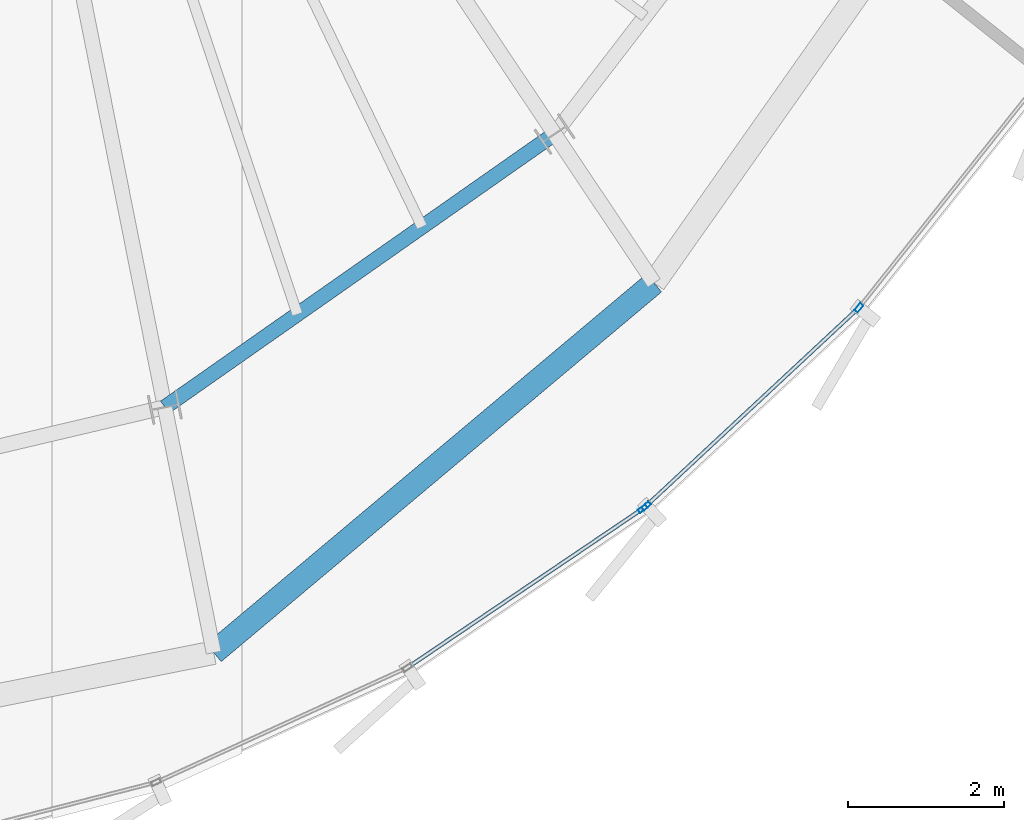
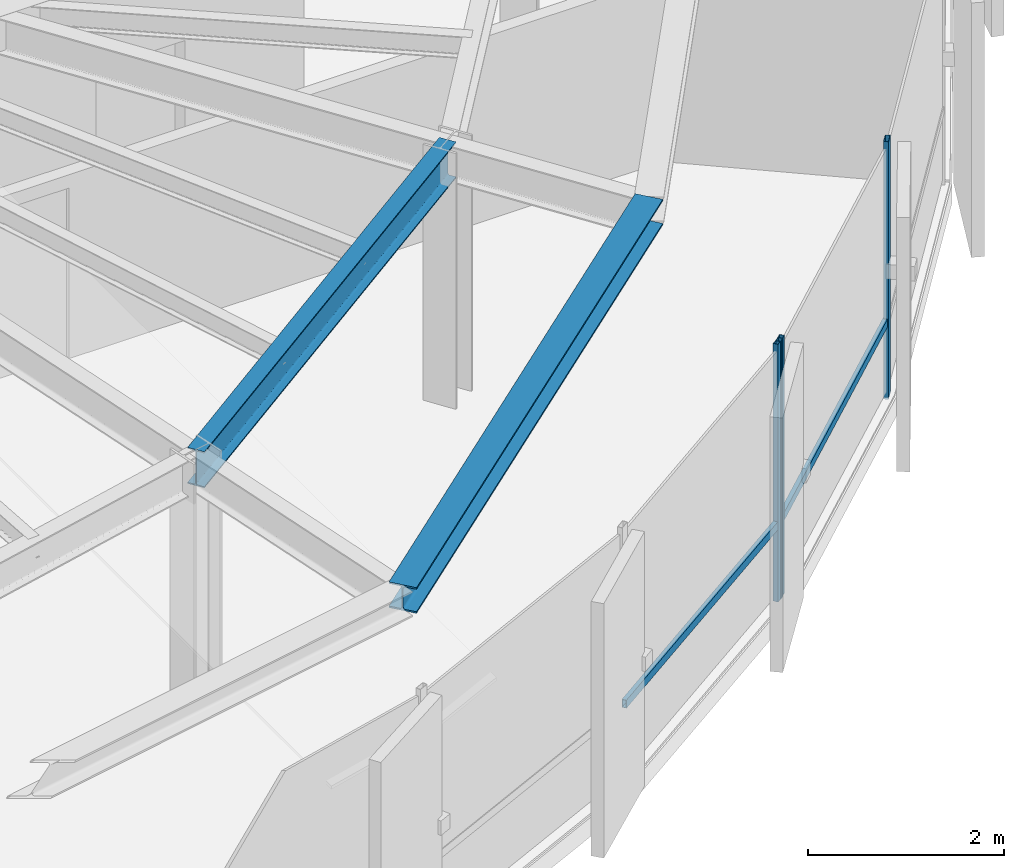
# One storey, part 8 of 31: 5 members, 2 beams, 2 elements without a shape of their own.
"""IFC4 building model written with IfcOpenShell, lengths in metres."""

from ifc_helpers import new_model, si_unit, direction, frame, origin, origin_2d, place, context, subcontext, project, spatial, hollow_rectangle, i_section, extrude, source, transform, mapped, material, layer, layer_set, material_profile, profile_set, type_object, element, aggregate, save


model = new_model("IFC4")

# Units and contexts
model_context = context("Model", 3, precision=1e-05, world=origin(), true_north=direction((0.0, 1.0)))
body_context = subcontext(model_context, "Body", "Model", "MODEL_VIEW")
ifc_project = project(units=[si_unit("LENGTHUNIT", "METRE"), si_unit("AREAUNIT", "SQUARE_METRE"), si_unit("VOLUMEUNIT", "CUBIC_METRE"), si_unit("PLANEANGLEUNIT", "RADIAN"), si_unit("MASSUNIT", "GRAM", prefix="KILO"), si_unit("THERMODYNAMICTEMPERATUREUNIT", "KELVIN")], contexts=[model_context])

# Site, building, storey
site_placement = place(None, origin())
site = spatial("IfcSite", under=ifc_project, at=site_placement, CompositionType="ELEMENT")
building_placement = place(site_placement, origin())
building = spatial("IfcBuilding", under=site, at=building_placement, Name="Kethvar Cultural Tower", CompositionType="ELEMENT")
storey_placement = place(building_placement, frame((0.0, 0.0, 290.5)))
storey = spatial("IfcBuildingStorey", under=building, at=storey_placement, Name="L77", CompositionType="ELEMENT", Elevation=290.5)

# Beams
ifc_material_1 = material(Name="Steel S355J2", Category="steel")
ifc_material_profile_1 = material_profile(ifc_material_1, i_section(OverallWidth=0.18994140625, OverallDepth=0.449951171875, WebThickness=0.009521484375, FlangeThickness=0.0146484375, FilletRadius=0.02099609375, at=origin_2d()), Name="Steel S355J2 — IPE450")
ifc_profile_set_1 = profile_set([ifc_material_profile_1], Name="Steel S355J2 — IPE450")
beam_type_1 = type_object("IfcBeamType", Name="BM-IPE450", PredefinedType="BEAM", material=ifc_profile_set_1)
shared_shape_1 = source(origin(), body_context, "Body", "SweptSolid", [
    extrude(i_section(OverallWidth=0.18994140625, OverallDepth=0.449951171875, WebThickness=0.009521484375, FlangeThickness=0.0146484375, FilletRadius=0.02099609375, at=origin_2d()), origin(), (0.0, 0.0, 1.0), 6.0859375),
])
beam_1_placement = place(storey_placement, frame((49.901611328125, 12.206787109375, 2.98291015625), z_axis=(0.818843498091, 0.57401683393, 0.0), x_axis=(-0.57401683393, 0.818843498091, 0.0)))
element("IfcBeam", 1, at=beam_1_placement, inside=storey, type_object=beam_type_1, Name="L77 Column Ring Tie Beam CR-13", PredefinedType="BEAM", context=body_context, shape_type="MappedRepresentation", body=[
    mapped(shared_shape_1, transform((0.0, 0.0, 0.0), scale=1.0)),
])
ifc_material_profile_2 = material_profile(ifc_material_1, i_section(OverallWidth=0.300048828125, OverallDepth=0.320068359375, WebThickness=0.011474609375, FlangeThickness=0.0205078125, FilletRadius=0.027099609375, at=origin_2d()), Name="Steel S355J2 — HEB320")
ifc_profile_set_2 = profile_set([ifc_material_profile_2], Name="Steel S355J2 — HEB320")
beam_type_2 = type_object("IfcBeamType", Name="BM-SP320", PredefinedType="SPANDREL", material=ifc_profile_set_2)
shared_shape_2 = source(origin(), body_context, "Body", "SweptSolid", [
    extrude(i_section(OverallWidth=0.300048828125, OverallDepth=0.320068359375, WebThickness=0.011474609375, FlangeThickness=0.0205078125, FilletRadius=0.027099609375, at=origin_2d()), origin(), (0.0, 0.0, 1.0), 7.352783203125),
])
beam_2_placement = place(storey_placement, frame((50.52587890625, 9.068359375, 3.048095703125), z_axis=(0.765891910659, 0.642969347004, 0.0), x_axis=(-0.642969347004, 0.765891910659, 0.0)))
element("IfcBeam", 2, at=beam_2_placement, inside=storey, type_object=beam_type_2, Name="L77 Perimeter Spandrel Beam SP-13", PredefinedType="SPANDREL", context=body_context, shape_type="MappedRepresentation", body=[
    mapped(shared_shape_2, transform((0.0, 0.0, 0.0), scale=1.0)),
])

# Curtain wall, member
ifc_material_2 = material(Name="Aluminium 6063-T6", Category="aluminium")
ifc_layer = layer(ifc_material_2, 0.179931640625, Name="Aluminium 6063-T6", Category="aluminium")
ifc_layer_set = layer_set([ifc_layer], Name="Aluminium 6063-T6 (180 mm)")
curtain_wall_type = type_object("IfcCurtainWallType", Name="CW-SYS-05-Z56", PredefinedType="NOTDEFINED", material=ifc_layer_set)
curtain_wall_1_placement = place(storey_placement, origin())
curtain_wall_1 = element("IfcCurtainWall", 3, at=curtain_wall_1_placement, inside=storey, type_object=curtain_wall_type, Name="L77 Curtain Wall Run 04", PredefinedType="NOTDEFINED")
ifc_material_profile_3 = material_profile(ifc_material_2, hollow_rectangle(XDim=0.054931640625, YDim=0.1201171875, WallThickness=0.00390625, at=origin_2d()), Name="Aluminium 6063-T6 — RHS120x55x4")
ifc_profile_set_3 = profile_set([ifc_material_profile_3], Name="Aluminium 6063-T6 — RHS120x55x4")
member_type_1 = type_object("IfcMemberType", Name="CW-SYS-05-Z56-MUL", PredefinedType="MULLION", material=ifc_profile_set_3)
shared_shape_3 = source(origin(), body_context, "Body", "SweptSolid", [
    extrude(hollow_rectangle(XDim=0.054931640625, YDim=0.1201171875, WallThickness=0.00390625, at=origin_2d()), origin(), (0.0, 0.0, 1.0), 3.2099609375),
])
member_1_placement = place(storey_placement, frame((56.012939453125, 10.909423828125, 0.0), z_axis=(0.0, 0.0, 1.0), x_axis=(-0.559829393671, 0.828607898817, 0.0)))
member_1 = element("IfcMember", 4, at=member_1_placement, type_object=member_type_1, Name="CW-L77-R04 Mullion 7", PredefinedType="MULLION", context=body_context, shape_type="MappedRepresentation", body=[
    mapped(shared_shape_3, transform((0.0, 0.0, 0.0), scale=1.0)),
])

# Curtain wall, members
curtain_wall_2_placement = place(storey_placement, origin())
curtain_wall_2 = element("IfcCurtainWall", 5, at=curtain_wall_2_placement, inside=storey, type_object=curtain_wall_type, Name="L77 Curtain Wall Run 05", PredefinedType="NOTDEFINED")
member_2_placement = place(storey_placement, frame((56.056396484375, 10.944091796875, 0.0), z_axis=(0.0, 0.0, 1.0), x_axis=(-0.681743027916, 0.731591719395, 0.0)))
member_2 = element("IfcMember", 6, at=member_2_placement, type_object=member_type_1, Name="CW-L77-R05 Mullion 1", PredefinedType="MULLION", context=body_context, shape_type="MappedRepresentation", body=[
    mapped(shared_shape_3, transform((0.0, 0.0, 0.0), scale=1.0)),
])
member_3_placement = place(storey_placement, frame((58.775390625, 13.476318359375, 0.0), z_axis=(0.0, 0.0, 1.0), x_axis=(-0.782727656659, 0.622364375186, 0.0)))
member_3 = element("IfcMember", 7, at=member_3_placement, type_object=member_type_1, Name="CW-L77-R05 Mullion 2", PredefinedType="MULLION", context=body_context, shape_type="MappedRepresentation", body=[
    mapped(shared_shape_3, transform((0.0, 0.0, 0.0), scale=1.0)),
])

# Member
ifc_material_profile_4 = material_profile(ifc_material_2, hollow_rectangle(XDim=0.050048828125, YDim=0.10009765625, WallThickness=0.00390625, at=origin_2d()), Name="Aluminium 6063-T6 — RHS100x50x4")
ifc_profile_set_4 = profile_set([ifc_material_profile_4], Name="Aluminium 6063-T6 — RHS100x50x4")
member_type_2 = type_object("IfcMemberType", Name="CW-SYS-05-Z56-TRN", PredefinedType="USERDEFINED", material=ifc_profile_set_4)
shared_shape_4 = source(origin(), body_context, "Body", "SweptSolid", [
    extrude(hollow_rectangle(XDim=0.050048828125, YDim=0.10009765625, WallThickness=0.00390625, at=origin_2d()), origin(), (0.0, 0.0, 1.0), 3.5869140625),
])
member_4_placement = place(storey_placement, frame((53.03759765625, 8.8994140625, 0.949951171875), z_axis=(0.82861030207, 0.55982583658, 0.0), x_axis=(-0.55982583658, 0.82861030207, 0.0)))
member_4 = element("IfcMember", 8, at=member_4_placement, type_object=member_type_2, Name="CW-L77-R04 Transom 6", ObjectType="TRANSOM", PredefinedType="USERDEFINED", context=body_context, shape_type="MappedRepresentation", body=[
    mapped(shared_shape_4, transform((0.0, 0.0, 0.0), scale=1.0)),
])

aggregate(curtain_wall_1, [member_1, member_4])

shared_shape_5 = source(origin(), body_context, "Body", "SweptSolid", [
    extrude(hollow_rectangle(XDim=0.050048828125, YDim=0.10009765625, WallThickness=0.00390625, at=origin_2d()), origin(), (0.0, 0.0, 1.0), 3.686767578125),
])
member_5_placement = place(storey_placement, frame((56.059326171875, 10.947021484375, 0.949951171875), z_axis=(0.73159895255, 0.681735265795, 0.0), x_axis=(-0.681735265795, 0.73159895255, 0.0)))
member_5 = element("IfcMember", 9, at=member_5_placement, type_object=member_type_2, Name="CW-L77-R05 Transom 1", ObjectType="TRANSOM", PredefinedType="USERDEFINED", context=body_context, shape_type="MappedRepresentation", body=[
    mapped(shared_shape_5, transform((0.0, 0.0, 0.0), scale=1.0)),
])

aggregate(curtain_wall_2, [member_2, member_3, member_5])

save(model, "model.ifc")
